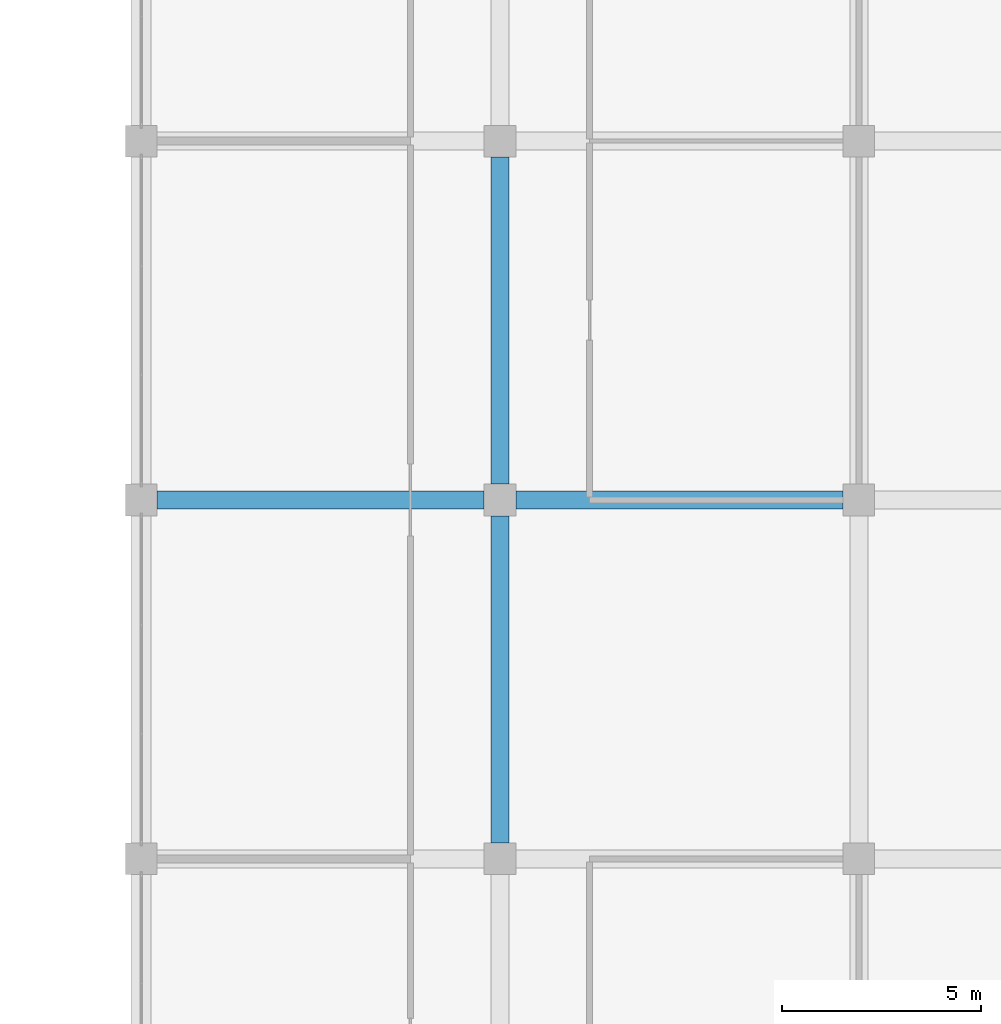
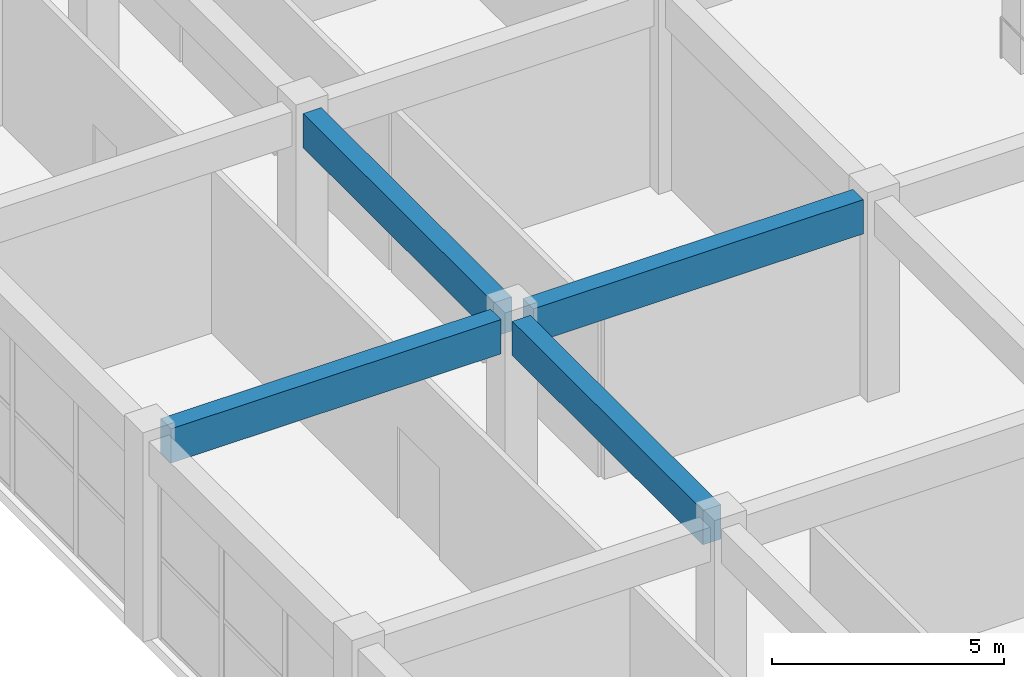
# One storey, part 76 of 185: 4 beams.
"""IFC4 building model written with IfcOpenShell, lengths in metres."""

from ifc_helpers import new_model, si_unit, direction, frame, origin, origin_2d, place, context, subcontext, project, spatial, rectangle, extrude, material, material_profile, profile_set, type_object, element, save


model = new_model("IFC4")

# Units and contexts
model_context = context("Model", 3, precision=1e-05, world=origin(), true_north=direction((0.0, 1.0)))
body_context = subcontext(model_context, "Body", "Model", "MODEL_VIEW")
ifc_project = project(units=[si_unit("LENGTHUNIT", "METRE"), si_unit("AREAUNIT", "SQUARE_METRE"), si_unit("VOLUMEUNIT", "CUBIC_METRE"), si_unit("PLANEANGLEUNIT", "RADIAN"), si_unit("MASSUNIT", "GRAM", prefix="KILO")], contexts=[model_context])

# Site, building, storey
site_placement = place(None, origin())
site = spatial("IfcSite", under=ifc_project, at=site_placement, CompositionType="ELEMENT")
building_placement = place(site_placement, origin())
building = spatial("IfcBuilding", under=site, at=building_placement, Name="Opaline Strait Convention Centre", CompositionType="ELEMENT")
storey_placement = place(building_placement, frame((0.0, 0.0, 6.0)))
storey = spatial("IfcBuildingStorey", under=building, at=storey_placement, Name="L01", CompositionType="ELEMENT", Elevation=6.0)

# Beams
ifc_material = material(Name="Concrete C35", Category="concrete")
ifc_material_profile = material_profile(ifc_material, rectangle(XDim=0.449951171875, YDim=0.89990234375, at=origin_2d()), Name="RC 450x900")
ifc_profile_set = profile_set([ifc_material_profile], Name="Concrete C35")
beam_type = type_object("IfcBeamType", Name="RC beam 450x900 C35", PredefinedType="BEAM", material=ifc_profile_set)
for number, where, z_axis, x_axis, name in (
    (1, (279.39990234375, 144.0, 4.77001953125), (1.0, 0.0, 0.0), (0.0, 1.0, 0.0), "XB1 L01 32/S-33/S"),
    (2, (288.39990234375, 144.0, 4.77001953125), (1.0, 0.0, 0.0), (0.0, 1.0, 0.0), "XB1 L01 33/S-34/S"),
    (3, (288.0, 135.39990234375, 4.77001953125), (0.0, 1.0, 0.0), (-1.0, 0.0, 0.0), "XB1 L01 33/R-33/S"),
    (4, (288.0, 144.39990234375, 4.77001953125), (0.0, 1.0, 0.0), (-1.0, 0.0, 0.0), "XB1 L01 33/S-33/T"),
):
    element("IfcBeam", number, at=place(storey_placement, frame(where, z_axis=z_axis, x_axis=x_axis)), inside=storey, type_object=beam_type, Name=name, PredefinedType="BEAM", context=body_context, shape_type="SweptSolid", body=[
        extrude(rectangle(XDim=0.449951171875, YDim=0.89990234375, at=origin_2d()), origin(), (0.0, 0.0, 1.0), 8.2001953125),
    ])

save(model, "model.ifc")
